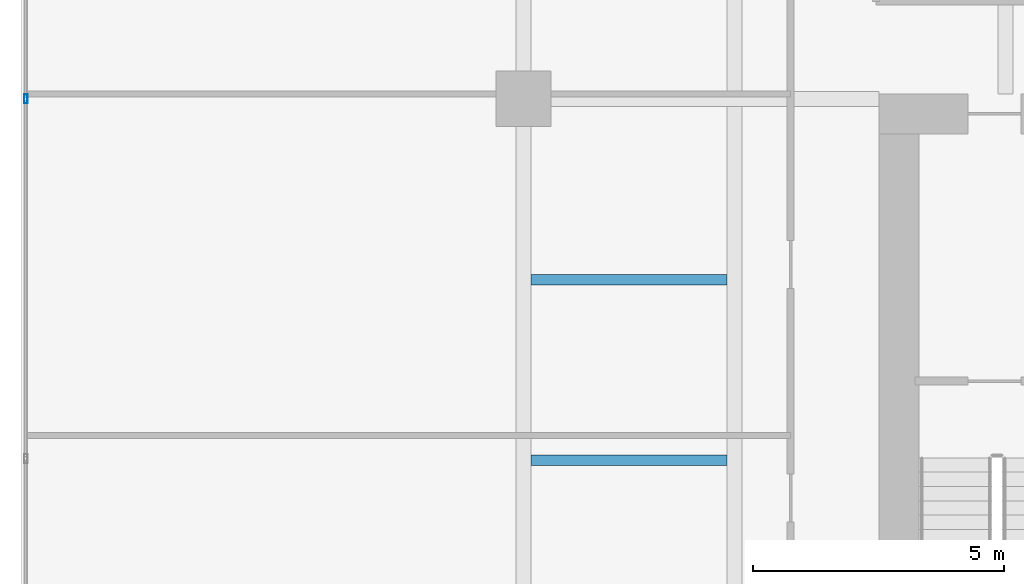
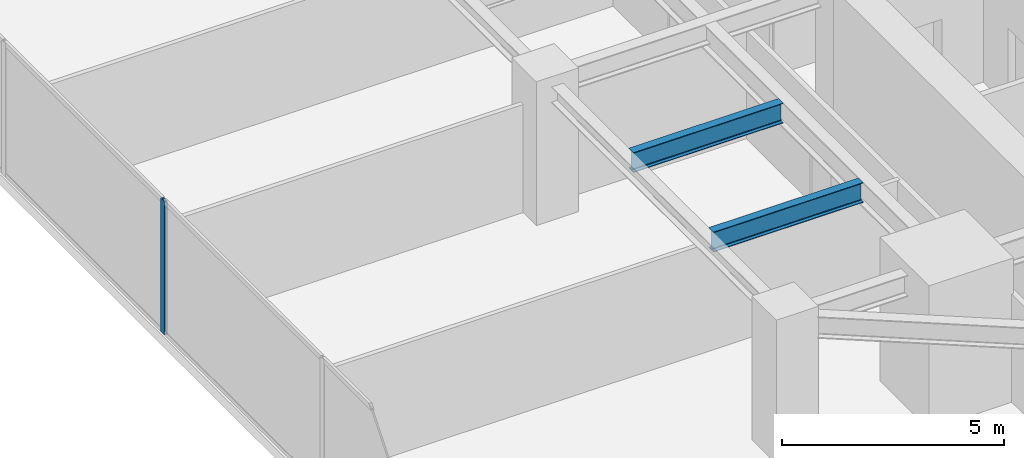
# One storey, part 8 of 28: 2 beams, 1 member, 1 element without a shape of its own.
"""IFC4 building model written with IfcOpenShell, lengths in metres."""

from ifc_helpers import new_model, si_unit, direction, frame, origin, origin_2d, place, context, subcontext, project, spatial, hollow_rectangle, i_section, extrude, source, transform, mapped, material, material_profile, profile_set, type_object, type_shapes, element, aggregate, save


model = new_model("IFC4")

# Units and contexts
model_context = context("Model", 3, precision=1e-05, world=origin(), true_north=direction((0.0, 1.0)))
body_context = subcontext(model_context, "Body", "Model", "MODEL_VIEW")
ifc_project = project(units=[si_unit("LENGTHUNIT", "METRE"), si_unit("AREAUNIT", "SQUARE_METRE"), si_unit("VOLUMEUNIT", "CUBIC_METRE"), si_unit("PLANEANGLEUNIT", "RADIAN"), si_unit("MASSUNIT", "GRAM", prefix="KILO")], contexts=[model_context])

# Site, building, storey
site_placement = place(None, origin())
site = spatial("IfcSite", under=ifc_project, at=site_placement, CompositionType="ELEMENT")
building_placement = place(site_placement, origin())
building = spatial("IfcBuilding", under=site, at=building_placement, Name="Krantzveldt Concourse Tower", CompositionType="ELEMENT")
storey_placement = place(building_placement, frame((0.0, 0.0, 28.949951171875)))
storey = spatial("IfcBuildingStorey", under=building, at=storey_placement, Name="L06", CompositionType="ELEMENT", Elevation=28.949951171875)

# Beams
ifc_material_1 = material(Name="Steel S355JR", Category="steel")
ifc_material_profile_1 = material_profile(ifc_material_1, i_section(OverallWidth=0.2099609375, OverallDepth=0.550048828125, WebThickness=0.010986328125, FlangeThickness=0.01708984375, FilletRadius=0.02392578125, at=origin_2d()), Name="Steel S355JR", Category="steel")
ifc_profile_set_1 = profile_set([ifc_material_profile_1], Name="Steel S355JR - IPE 550")
beam_type = type_object("IfcBeamType", Name="BM-J-IPE550", PredefinedType="JOIST", material=ifc_profile_set_1)
shared_shape_1 = source(origin(), body_context, "Body", "SweptSolid", [
    extrude(i_section(OverallWidth=0.2099609375, OverallDepth=0.550048828125, WebThickness=0.010986328125, FlangeThickness=0.01708984375, FilletRadius=0.02392578125, at=origin_2d()), origin(), (0.0, 0.0, 1.0), 3.900146484375),
])
type_shapes(beam_type, [shared_shape_1])
for number, where, z_axis, x_axis, name in (
    (1, (21.14990234375, 19.5, 3.39501953125), (1.0, 0.0, 0.0), (0.0, 1.0, 0.0), "L06 Secondary Floor Joist JW-1"),
    (2, (21.14990234375, 23.10009765625, 3.39501953125), (1.0, 0.0, 0.0), (0.0, 1.0, 0.0), "L06 Secondary Floor Joist JW-2"),
):
    element("IfcBeam", number, at=place(storey_placement, frame(where, z_axis=z_axis, x_axis=x_axis)), inside=storey, type_object=beam_type, Name=name, PredefinedType="JOIST", context=body_context, shape_type="MappedRepresentation", body=[
        mapped(shared_shape_1, transform((0.0, 0.0, 0.0), x_axis=(1.0, 0.0, 0.0), y_axis=(0.0, 1.0, 0.0), z_axis=(0.0, 0.0, 1.0), scale=1.0)),
    ])

# Curtain wall, member
ifc_material_2 = material(Name="Anodised aluminium 6063-T6", Category="aluminium")
curtain_wall_type = type_object("IfcCurtainWallType", Name="CW2", PredefinedType="USERDEFINED", material=ifc_material_2)
curtain_wall_placement = place(storey_placement, origin())
curtain_wall = element("IfcCurtainWall", 3, at=curtain_wall_placement, inside=storey, type_object=curtain_wall_type, Name="CW-L06-F01", ObjectType="UNITISED CURTAIN WALL", PredefinedType="USERDEFINED")
ifc_material_profile_2 = material_profile(ifc_material_2, hollow_rectangle(XDim=0.070068359375, YDim=0.179931640625, WallThickness=0.0048828125, at=origin_2d()), Name="Anodised aluminium 6063-T6", Category="aluminium")
ifc_profile_set_2 = profile_set([ifc_material_profile_2], Name="Anodised aluminium 6063-T6 - ALU-MULL 180x70x5")
member_type = type_object("IfcMemberType", Name="CW-MUL-180", PredefinedType="MULLION", material=ifc_profile_set_2)
shared_shape_2 = source(origin(), body_context, "Body", "SweptSolid", [
    extrude(hollow_rectangle(XDim=0.070068359375, YDim=0.179931640625, WallThickness=0.0048828125, at=origin_2d()), origin(), (0.0, 0.0, 1.0), 3.670166015625),
])
type_shapes(member_type, [shared_shape_2])
member_placement = place(storey_placement, frame((11.090087890625, 26.699951171875, 0.0), z_axis=(0.0, 0.0, 1.0), x_axis=(1.0, 0.0, 0.0)))
member = element("IfcMember", 4, at=member_placement, type_object=member_type, Name="CW-Z12 mullion 4", PredefinedType="MULLION", context=body_context, shape_type="MappedRepresentation", body=[
    mapped(shared_shape_2, transform((0.0, 0.0, 0.0), x_axis=(1.0, 0.0, 0.0), y_axis=(0.0, 1.0, 0.0), z_axis=(0.0, 0.0, 1.0), scale=1.0)),
])
aggregate(curtain_wall, [member])

save(model, "model.ifc")
